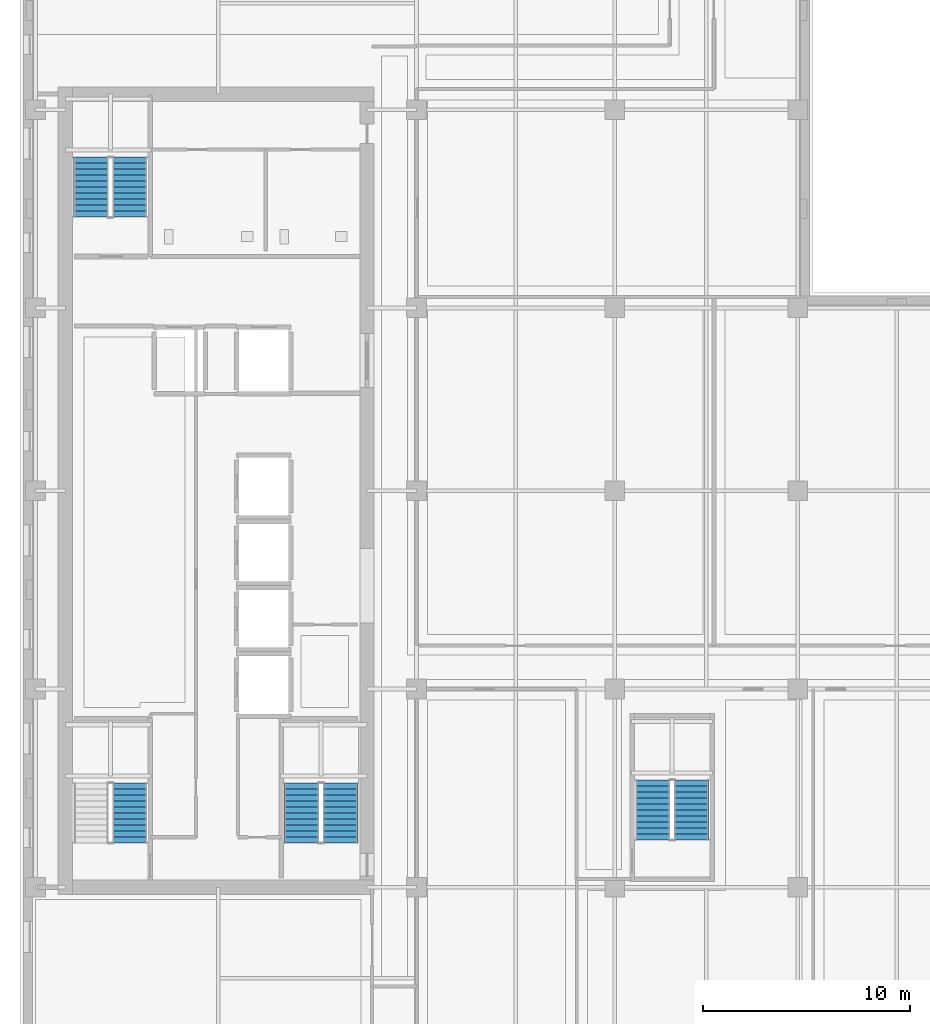
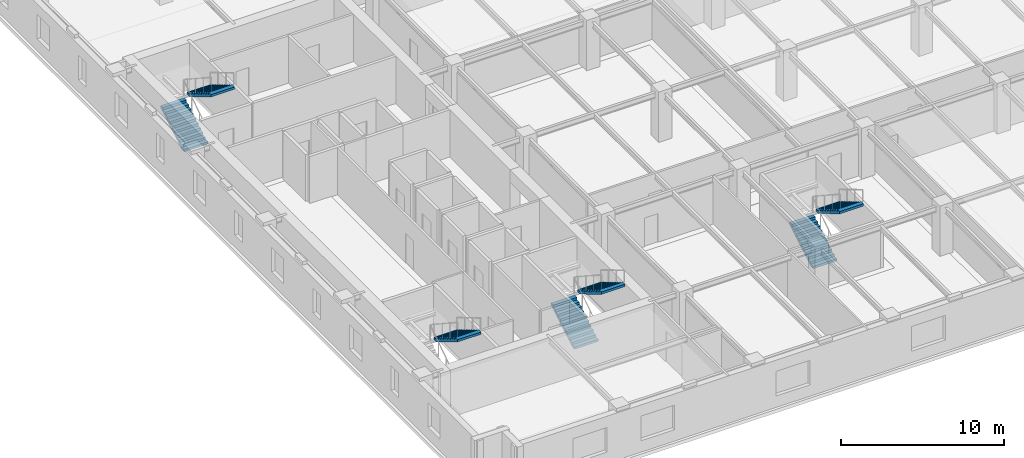
# One storey, part 8 of 13: 7 stair flights, 4 elements without a shape of their own.
"""IFC4 building model written with IfcOpenShell, lengths in metres."""

from ifc_helpers import new_model, si_unit, direction, frame, origin, place, context, subcontext, project, spatial, polyline, outline, extrude, material, type_object, element, aggregate, save


model = new_model("IFC4")

# Units and contexts
model_context = context("Model", 3, precision=1e-05, world=origin(), true_north=direction((0.0, 1.0)))
body_context = subcontext(model_context, "Body", "Model", "MODEL_VIEW")
ifc_project = project(units=[si_unit("LENGTHUNIT", "METRE"), si_unit("AREAUNIT", "SQUARE_METRE"), si_unit("VOLUMEUNIT", "CUBIC_METRE"), si_unit("PLANEANGLEUNIT", "RADIAN"), si_unit("MASSUNIT", "GRAM", prefix="KILO")], contexts=[model_context])

# Site, building, storey
site_placement = place(None, origin())
site = spatial("IfcSite", under=ifc_project, at=site_placement, CompositionType="ELEMENT")
building_placement = place(site_placement, origin())
building = spatial("IfcBuilding", under=site, at=building_placement, Name="Norrvale University Quadrangle", CompositionType="ELEMENT")
storey_placement = place(building_placement, frame((0.0, 0.0, 159.800048828125)))
storey = spatial("IfcBuildingStorey", under=building, at=storey_placement, Name="L40", CompositionType="ELEMENT", Elevation=159.800048828125)

# Stair, stair flight
ifc_material = material(Name="Concrete C40/50", Category="concrete")
stair_type = type_object("IfcStairType", Name="Stair Tower Typ 3800", PredefinedType="TWO_STRAIGHT_RUN_STAIR", material=ifc_material)
stair_1_placement = place(storey_placement, origin())
stair_1 = element("IfcStair", 1, at=stair_1_placement, inside=storey, type_object=stair_type, Name="Exit Stair ST-01 L40", PredefinedType="TWO_STRAIGHT_RUN_STAIR")
stair_flight_type = type_object("IfcStairFlightType", Name="Flight Typ 1500", PredefinedType="STRAIGHT", material=ifc_material)
stair_flight_1_placement = place(storey_placement, frame((5.320068359375, 14.64990234375, 1.89990234375), z_axis=(0.0, 0.0, 1.0), x_axis=(0.0, -1.0, 0.0)))
stair_flight_1 = element("IfcStairFlight", 2, at=stair_flight_1_placement, type_object=stair_flight_type, Name="Exit Stair ST-01 L40 Upper Flight", NumberOfRisers=11, NumberOfTreads=10, PredefinedType="STRAIGHT", RiserHeight=0.172727, TreadLength=0.29, context=body_context, shape_type="SweptSolid", body=[
    extrude(outline(polyline([(0.0, 0.0), (0.0, 0.172607421875), (0.2900390625, 0.172607421875), (0.2900390625, 0.345458984375), (0.580078125, 0.345458984375), (0.580078125, 0.51806640625), (0.8701171875, 0.51806640625), (0.8701171875, 0.69091796875), (1.159912109375, 0.69091796875), (1.159912109375, 0.863525390625), (1.449951171875, 0.863525390625), (1.449951171875, 1.036376953125), (1.739990234375, 1.036376953125), (1.739990234375, 1.208984375), (2.030029296875, 1.208984375), (2.030029296875, 1.3818359375), (2.320068359375, 1.3818359375), (2.320068359375, 1.554443359375), (2.610107421875, 1.554443359375), (2.610107421875, 1.727294921875), (2.89990234375, 1.727294921875), (2.89990234375, 1.89990234375), (2.89990234375, 1.552734375), (0.29296875, 0.0), (0.0, 0.0)])), frame((0.0, 0.83984375, 0.0), z_axis=(0.0, -1.0, 0.0), x_axis=(1.0, 0.0, 0.0)), (0.0, 0.0, 1.0), 1.679931640625),
])
aggregate(stair_1, [stair_flight_1])

# Stair, stair flights
stair_2_placement = place(storey_placement, origin())
stair_2 = element("IfcStair", 3, at=stair_2_placement, inside=storey, type_object=stair_type, Name="Exit Stair ST-02 L40", PredefinedType="TWO_STRAIGHT_RUN_STAIR")
stair_flight_2_placement = place(storey_placement, frame((3.429931640625, 42.050048828125, 0.0), z_axis=(0.0, 0.0, 1.0), x_axis=(0.0, 1.0, 0.0)))
stair_flight_2 = element("IfcStairFlight", 4, at=stair_flight_2_placement, type_object=stair_flight_type, Name="Exit Stair ST-02 L40 Lower Flight", NumberOfRisers=11, NumberOfTreads=10, PredefinedType="STRAIGHT", RiserHeight=0.172727, TreadLength=0.29, context=body_context, shape_type="SweptSolid", body=[
    extrude(outline(polyline([(0.0, 0.0), (0.0, 0.172607421875), (0.2900390625, 0.172607421875), (0.2900390625, 0.345458984375), (0.580078125, 0.345458984375), (0.580078125, 0.51806640625), (0.8701171875, 0.51806640625), (0.8701171875, 0.69091796875), (1.159912109375, 0.69091796875), (1.159912109375, 0.863525390625), (1.449951171875, 0.863525390625), (1.449951171875, 1.036376953125), (1.739990234375, 1.036376953125), (1.739990234375, 1.208984375), (2.030029296875, 1.208984375), (2.030029296875, 1.3818359375), (2.320068359375, 1.3818359375), (2.320068359375, 1.554443359375), (2.610107421875, 1.554443359375), (2.610107421875, 1.727294921875), (2.89990234375, 1.727294921875), (2.89990234375, 1.89990234375), (2.89990234375, 1.552734375), (0.29296875, 0.0), (0.0, 0.0)])), frame((0.0, 0.83984375, 0.0), z_axis=(0.0, -1.0, 0.0), x_axis=(1.0, 0.0, 0.0)), (0.0, 0.0, 1.0), 1.679931640625),
])
stair_flight_3_placement = place(storey_placement, frame((5.320068359375, 44.949951171875, 1.89990234375), z_axis=(0.0, 0.0, 1.0), x_axis=(0.0, -1.0, 0.0)))
stair_flight_3 = element("IfcStairFlight", 5, at=stair_flight_3_placement, type_object=stair_flight_type, Name="Exit Stair ST-02 L40 Upper Flight", NumberOfRisers=11, NumberOfTreads=10, PredefinedType="STRAIGHT", RiserHeight=0.172727, TreadLength=0.29, context=body_context, shape_type="SweptSolid", body=[
    extrude(outline(polyline([(0.0, 0.0), (0.0, 0.172607421875), (0.2900390625, 0.172607421875), (0.2900390625, 0.345458984375), (0.580078125, 0.345458984375), (0.580078125, 0.51806640625), (0.8701171875, 0.51806640625), (0.8701171875, 0.69091796875), (1.159912109375, 0.69091796875), (1.159912109375, 0.863525390625), (1.449951171875, 0.863525390625), (1.449951171875, 1.036376953125), (1.739990234375, 1.036376953125), (1.739990234375, 1.208984375), (2.030029296875, 1.208984375), (2.030029296875, 1.3818359375), (2.320068359375, 1.3818359375), (2.320068359375, 1.554443359375), (2.610107421875, 1.554443359375), (2.610107421875, 1.727294921875), (2.89990234375, 1.727294921875), (2.89990234375, 1.89990234375), (2.89990234375, 1.552734375), (0.29296875, 0.0), (0.0, 0.0)])), frame((0.0, 0.83984375, 0.0), z_axis=(0.0, -1.0, 0.0), x_axis=(1.0, 0.0, 0.0)), (0.0, 0.0, 1.0), 1.679931640625),
])
aggregate(stair_2, [stair_flight_2, stair_flight_3])

stair_3_placement = place(storey_placement, origin())
stair_3 = element("IfcStair", 6, at=stair_3_placement, inside=storey, type_object=stair_type, Name="Exit Stair ST-03 L40", PredefinedType="TWO_STRAIGHT_RUN_STAIR")
stair_flight_4_placement = place(storey_placement, frame((13.6298828125, 11.75, 0.0), z_axis=(0.0, 0.0, 1.0), x_axis=(0.0, 1.0, 0.0)))
stair_flight_4 = element("IfcStairFlight", 7, at=stair_flight_4_placement, type_object=stair_flight_type, Name="Exit Stair ST-03 L40 Lower Flight", NumberOfRisers=11, NumberOfTreads=10, PredefinedType="STRAIGHT", RiserHeight=0.172727, TreadLength=0.29, context=body_context, shape_type="SweptSolid", body=[
    extrude(outline(polyline([(0.0, 0.0), (0.0, 0.172607421875), (0.2900390625, 0.172607421875), (0.2900390625, 0.345458984375), (0.580078125, 0.345458984375), (0.580078125, 0.51806640625), (0.8701171875, 0.51806640625), (0.8701171875, 0.69091796875), (1.159912109375, 0.69091796875), (1.159912109375, 0.863525390625), (1.449951171875, 0.863525390625), (1.449951171875, 1.036376953125), (1.739990234375, 1.036376953125), (1.739990234375, 1.208984375), (2.030029296875, 1.208984375), (2.030029296875, 1.3818359375), (2.320068359375, 1.3818359375), (2.320068359375, 1.554443359375), (2.610107421875, 1.554443359375), (2.610107421875, 1.727294921875), (2.89990234375, 1.727294921875), (2.89990234375, 1.89990234375), (2.89990234375, 1.552734375), (0.29296875, 0.0), (0.0, 0.0)])), frame((0.0, 0.83984375, 0.0), z_axis=(0.0, -1.0, 0.0), x_axis=(1.0, 0.0, 0.0)), (0.0, 0.0, 1.0), 1.679931640625),
])
stair_flight_5_placement = place(storey_placement, frame((15.52001953125, 14.64990234375, 1.89990234375), z_axis=(0.0, 0.0, 1.0), x_axis=(0.0, -1.0, 0.0)))
stair_flight_5 = element("IfcStairFlight", 8, at=stair_flight_5_placement, type_object=stair_flight_type, Name="Exit Stair ST-03 L40 Upper Flight", NumberOfRisers=11, NumberOfTreads=10, PredefinedType="STRAIGHT", RiserHeight=0.172727, TreadLength=0.29, context=body_context, shape_type="SweptSolid", body=[
    extrude(outline(polyline([(0.0, 0.0), (0.0, 0.172607421875), (0.2900390625, 0.172607421875), (0.2900390625, 0.345458984375), (0.580078125, 0.345458984375), (0.580078125, 0.51806640625), (0.8701171875, 0.51806640625), (0.8701171875, 0.69091796875), (1.159912109375, 0.69091796875), (1.159912109375, 0.863525390625), (1.449951171875, 0.863525390625), (1.449951171875, 1.036376953125), (1.739990234375, 1.036376953125), (1.739990234375, 1.208984375), (2.030029296875, 1.208984375), (2.030029296875, 1.3818359375), (2.320068359375, 1.3818359375), (2.320068359375, 1.554443359375), (2.610107421875, 1.554443359375), (2.610107421875, 1.727294921875), (2.89990234375, 1.727294921875), (2.89990234375, 1.89990234375), (2.89990234375, 1.552734375), (0.29296875, 0.0), (0.0, 0.0)])), frame((0.0, 0.83984375, 0.0), z_axis=(0.0, -1.0, 0.0), x_axis=(1.0, 0.0, 0.0)), (0.0, 0.0, 1.0), 1.679931640625),
])
aggregate(stair_3, [stair_flight_4, stair_flight_5])

stair_4_placement = place(storey_placement, origin())
stair_4 = element("IfcStair", 9, at=stair_4_placement, inside=storey, type_object=stair_type, Name="Exit Stair ST-04 L40", PredefinedType="TWO_STRAIGHT_RUN_STAIR")
stair_flight_6_placement = place(storey_placement, frame((30.6298828125, 11.89990234375, 0.0), z_axis=(0.0, 0.0, 1.0), x_axis=(0.0, 1.0, 0.0)))
stair_flight_6 = element("IfcStairFlight", 10, at=stair_flight_6_placement, type_object=stair_flight_type, Name="Exit Stair ST-04 L40 Lower Flight", NumberOfRisers=11, NumberOfTreads=10, PredefinedType="STRAIGHT", RiserHeight=0.172727, TreadLength=0.29, context=body_context, shape_type="SweptSolid", body=[
    extrude(outline(polyline([(0.0, 0.0), (0.0, 0.172607421875), (0.2900390625, 0.172607421875), (0.2900390625, 0.345458984375), (0.580078125, 0.345458984375), (0.580078125, 0.51806640625), (0.8701171875, 0.51806640625), (0.8701171875, 0.69091796875), (1.159912109375, 0.69091796875), (1.159912109375, 0.863525390625), (1.449951171875, 0.863525390625), (1.449951171875, 1.036376953125), (1.739990234375, 1.036376953125), (1.739990234375, 1.208984375), (2.030029296875, 1.208984375), (2.030029296875, 1.3818359375), (2.320068359375, 1.3818359375), (2.320068359375, 1.554443359375), (2.610107421875, 1.554443359375), (2.610107421875, 1.727294921875), (2.89990234375, 1.727294921875), (2.89990234375, 1.89990234375), (2.89990234375, 1.552734375), (0.29296875, 0.0), (0.0, 0.0)])), frame((0.0, 0.83984375, 0.0), z_axis=(0.0, -1.0, 0.0), x_axis=(1.0, 0.0, 0.0)), (0.0, 0.0, 1.0), 1.679931640625),
])
stair_flight_7_placement = place(storey_placement, frame((32.52001953125, 14.800048828125, 1.89990234375), z_axis=(0.0, 0.0, 1.0), x_axis=(0.0, -1.0, 0.0)))
stair_flight_7 = element("IfcStairFlight", 11, at=stair_flight_7_placement, type_object=stair_flight_type, Name="Exit Stair ST-04 L40 Upper Flight", NumberOfRisers=11, NumberOfTreads=10, PredefinedType="STRAIGHT", RiserHeight=0.172727, TreadLength=0.29, context=body_context, shape_type="SweptSolid", body=[
    extrude(outline(polyline([(0.0, 0.0), (0.0, 0.172607421875), (0.2900390625, 0.172607421875), (0.2900390625, 0.345458984375), (0.580078125, 0.345458984375), (0.580078125, 0.51806640625), (0.8701171875, 0.51806640625), (0.8701171875, 0.69091796875), (1.159912109375, 0.69091796875), (1.159912109375, 0.863525390625), (1.449951171875, 0.863525390625), (1.449951171875, 1.036376953125), (1.739990234375, 1.036376953125), (1.739990234375, 1.208984375), (2.030029296875, 1.208984375), (2.030029296875, 1.3818359375), (2.320068359375, 1.3818359375), (2.320068359375, 1.554443359375), (2.610107421875, 1.554443359375), (2.610107421875, 1.727294921875), (2.89990234375, 1.727294921875), (2.89990234375, 1.89990234375), (2.89990234375, 1.552734375), (0.29296875, 0.0), (0.0, 0.0)])), frame((0.0, 0.83984375, 0.0), z_axis=(0.0, -1.0, 0.0), x_axis=(1.0, 0.0, 0.0)), (0.0, 0.0, 1.0), 1.679931640625),
])
aggregate(stair_4, [stair_flight_6, stair_flight_7])

save(model, "model.ifc")
